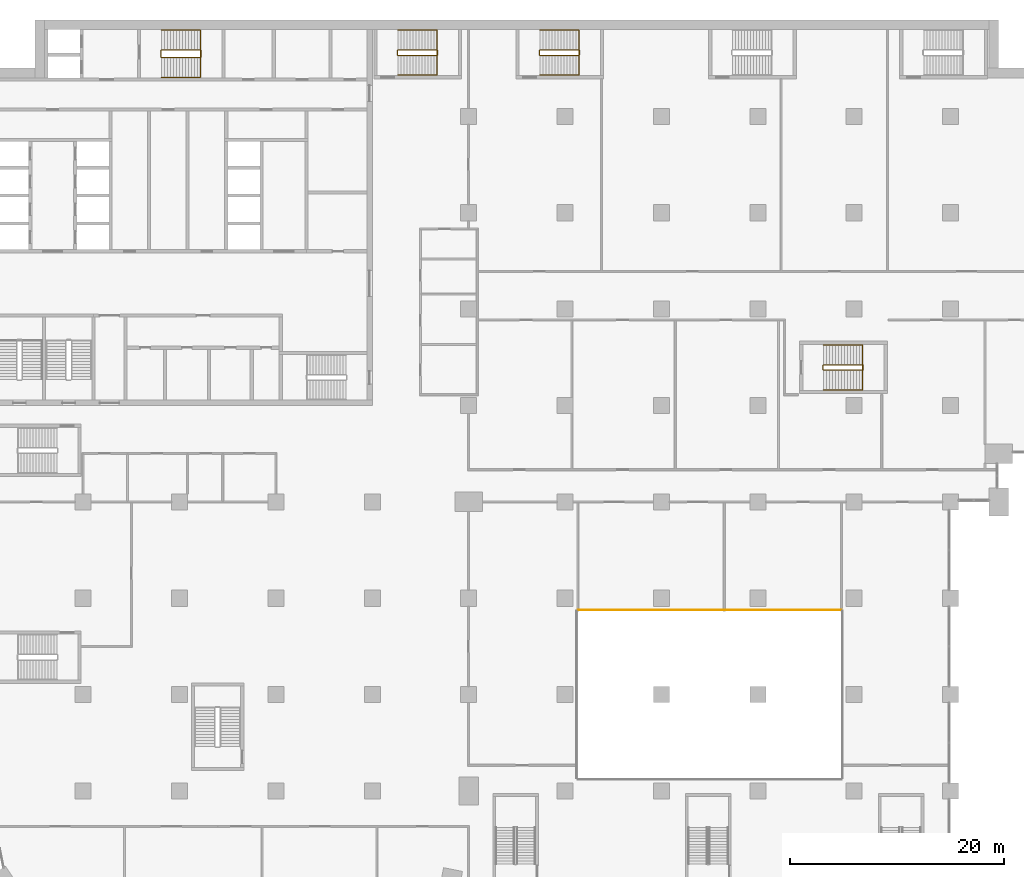
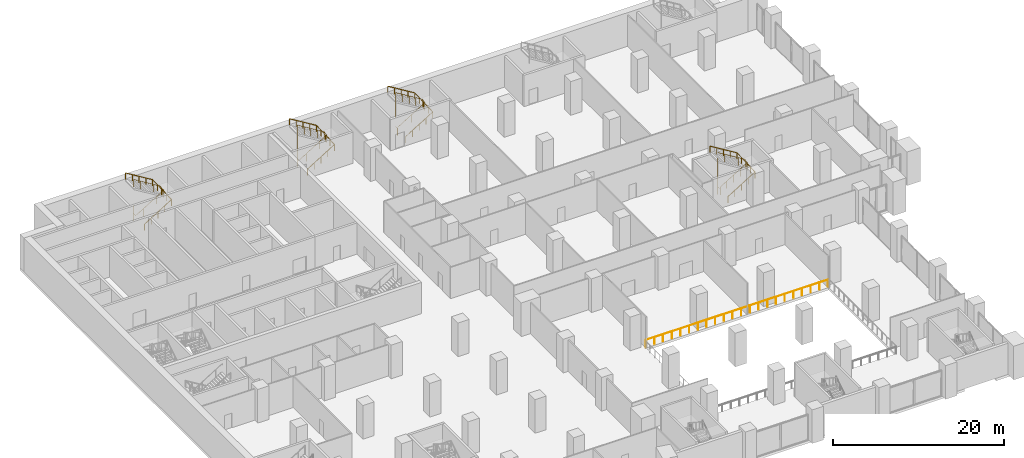
# One storey, part 48 of 49: 9 railings.
"""IFC4 building model written with IfcOpenShell, lengths in metres."""

from ifc_helpers import new_model, si_unit, direction, frame, origin, origin_2d, place, context, subcontext, project, spatial, circle, extrude, material, type_object, element, save


model = new_model("IFC4")

# Units and contexts
model_context = context("Model", 3, precision=1e-05, world=origin(), true_north=direction((0.0, 1.0)))
body_context = subcontext(model_context, "Body", "Model", "MODEL_VIEW")
ifc_project = project(units=[si_unit("LENGTHUNIT", "METRE"), si_unit("AREAUNIT", "SQUARE_METRE"), si_unit("VOLUMEUNIT", "CUBIC_METRE"), si_unit("PLANEANGLEUNIT", "RADIAN"), si_unit("MASSUNIT", "GRAM", prefix="KILO")], contexts=[model_context])

# Site, building, storey
site_placement = place(None, origin())
site = spatial("IfcSite", under=ifc_project, at=site_placement, CompositionType="ELEMENT")
building_placement = place(site_placement, origin())
building = spatial("IfcBuilding", under=site, at=building_placement, Name="Hunhe Ridgeline Campus", CompositionType="ELEMENT")
storey_placement = place(building_placement, frame((0.0, 0.0, 21.60009765625)))
storey = spatial("IfcBuildingStorey", under=building, at=storey_placement, Name="L04", CompositionType="ELEMENT", Elevation=21.60009765625)

# Railings
ifc_material_1 = material(Name="Glass and steel", Category="steel")
railing_type_1 = type_object("IfcRailingType", Name="Atrium glass guard 1100", PredefinedType="GUARDRAIL", material=ifc_material_1)
railing_1_placement = place(storey_placement, frame((79.800048828125, 43.919921875, 0.0)))
element("IfcRailing", 1, at=railing_1_placement, inside=storey, type_object=railing_type_1, Name="L04 atrium guard", PredefinedType="GUARDRAIL", context=body_context, shape_type="SweptSolid", body=[
    extrude(circle(Radius=0.02392578125, at=origin_2d()), frame((0.0, 0.0, 1.076171875), z_axis=(-1.0, 0.0, 0.0), x_axis=(0.0, -1.0, 0.0)), (0.0, 0.0, 1.0), 24.60009765625),
    extrude(circle(Radius=0.02099609375, at=origin_2d()), origin(), (0.0, 0.0, 1.0), 1.052001953125),
    extrude(circle(Radius=0.02099609375, at=origin_2d()), frame((-1.17138671875, 0.0, 0.0)), (0.0, 0.0, 1.0), 1.052001953125),
    extrude(circle(Radius=0.02099609375, at=origin_2d()), frame((-2.3427734375, 0.0, 0.0)), (0.0, 0.0, 1.0), 1.052001953125),
    extrude(circle(Radius=0.02099609375, at=origin_2d()), frame((-3.514404296875, 0.0, 0.0)), (0.0, 0.0, 1.0), 1.052001953125),
    extrude(circle(Radius=0.02099609375, at=origin_2d()), frame((-4.685791015625, 0.0, 0.0)), (0.0, 0.0, 1.0), 1.052001953125),
    extrude(circle(Radius=0.02099609375, at=origin_2d()), frame((-5.857177734375, 0.0, 0.0)), (0.0, 0.0, 1.0), 1.052001953125),
    extrude(circle(Radius=0.02099609375, at=origin_2d()), frame((-7.028564453125, 0.0, 0.0)), (0.0, 0.0, 1.0), 1.052001953125),
    extrude(circle(Radius=0.02099609375, at=origin_2d()), frame((-8.199951171875, 0.0, 0.0)), (0.0, 0.0, 1.0), 1.052001953125),
    extrude(circle(Radius=0.02099609375, at=origin_2d()), frame((-9.37158203125, 0.0, 0.0)), (0.0, 0.0, 1.0), 1.052001953125),
    extrude(circle(Radius=0.02099609375, at=origin_2d()), frame((-10.54296875, 0.0, 0.0)), (0.0, 0.0, 1.0), 1.052001953125),
    extrude(circle(Radius=0.02099609375, at=origin_2d()), frame((-11.71435546875, 0.0, 0.0)), (0.0, 0.0, 1.0), 1.052001953125),
    extrude(circle(Radius=0.02099609375, at=origin_2d()), frame((-12.8857421875, 0.0, 0.0)), (0.0, 0.0, 1.0), 1.052001953125),
    extrude(circle(Radius=0.02099609375, at=origin_2d()), frame((-14.05712890625, 0.0, 0.0)), (0.0, 0.0, 1.0), 1.052001953125),
    extrude(circle(Radius=0.02099609375, at=origin_2d()), frame((-15.228515625, 0.0, 0.0)), (0.0, 0.0, 1.0), 1.052001953125),
    extrude(circle(Radius=0.02099609375, at=origin_2d()), frame((-16.400146484375, 0.0, 0.0)), (0.0, 0.0, 1.0), 1.052001953125),
    extrude(circle(Radius=0.02099609375, at=origin_2d()), frame((-17.571533203125, 0.0, 0.0)), (0.0, 0.0, 1.0), 1.052001953125),
    extrude(circle(Radius=0.02099609375, at=origin_2d()), frame((-18.742919921875, 0.0, 0.0)), (0.0, 0.0, 1.0), 1.052001953125),
    extrude(circle(Radius=0.02099609375, at=origin_2d()), frame((-19.914306640625, 0.0, 0.0)), (0.0, 0.0, 1.0), 1.052001953125),
    extrude(circle(Radius=0.02099609375, at=origin_2d()), frame((-21.085693359375, 0.0, 0.0)), (0.0, 0.0, 1.0), 1.052001953125),
    extrude(circle(Radius=0.02099609375, at=origin_2d()), frame((-22.25732421875, 0.0, 0.0)), (0.0, 0.0, 1.0), 1.052001953125),
    extrude(circle(Radius=0.02099609375, at=origin_2d()), frame((-23.4287109375, 0.0, 0.0)), (0.0, 0.0, 1.0), 1.052001953125),
    extrude(circle(Radius=0.02099609375, at=origin_2d()), frame((-24.60009765625, 0.0, 0.0)), (0.0, 0.0, 1.0), 1.052001953125),
])
ifc_material_2 = material(Name="Stainless steel balustrade", Category="steel")
railing_type_2 = type_object("IfcRailingType", Name="Stair guard 1100 stainless", PredefinedType="GUARDRAIL", material=ifc_material_2)
railing_2_placement = place(storey_placement, frame((16.300048828125, 95.5, 0.17138671875)))
element("IfcRailing", 2, at=railing_2_placement, inside=storey, type_object=railing_type_2, Name="L04 stair S1 guard", PredefinedType="GUARDRAIL", context=body_context, shape_type="SweptSolid", body=[
    extrude(circle(Radius=0.02392578125, at=origin_2d()), frame((0.0, 0.0, 1.076171875), z_axis=(0.852850264322, 0.0, 0.5221555579), x_axis=(0.0, 1.0, 0.0)), (0.0, 0.0, 1.0), 4.267822265625),
    extrude(circle(Radius=0.02392578125, at=origin_2d()), frame((3.639892578125, 0.0, 3.3046875), z_axis=(0.707106781187, 0.707106781187, 0.0), x_axis=(-0.707106781187, 0.707106781187, 0.0)), (0.0, 0.0, 1.0), 0.07080078125),
    extrude(circle(Radius=0.02392578125, at=origin_2d()), frame((3.68994140625, 0.050048828125, 3.3046875), z_axis=(0.0, 1.0, 0.0), x_axis=(-1.0, 0.0, 0.0)), (0.0, 0.0, 1.0), 0.599853515625),
    extrude(circle(Radius=0.02392578125, at=origin_2d()), frame((3.68994140625, 0.64990234375, 3.3046875), z_axis=(-0.269911200495, 0.269911200495, 0.924281281696), x_axis=(-0.707106781187, -0.707106781187, 0.0)), (0.0, 0.0, 1.0), 0.185546875),
    extrude(circle(Radius=0.02392578125, at=origin_2d()), frame((3.639892578125, 0.699951171875, 3.47607421875), z_axis=(-0.852850264322, 0.0, 0.5221555579), x_axis=(0.0, -1.0, 0.0)), (0.0, 0.0, 1.0), 4.267822265625),
    extrude(circle(Radius=0.02392578125, at=origin_2d()), frame((0.0, 0.699951171875, 5.70458984375), z_axis=(-0.01042612993, -0.01042612993, -0.999891289906), x_axis=(0.707106781187, -0.707106781187, 0.0)), (0.0, 0.0, 1.0), 4.80029296875),
    extrude(circle(Radius=0.02392578125, at=origin_2d()), frame((-0.050048828125, 0.64990234375, 0.90478515625), z_axis=(0.0, -1.0, 0.0), x_axis=(1.0, 0.0, 0.0)), (0.0, 0.0, 1.0), 0.599853515625),
    extrude(circle(Radius=0.02099609375, at=origin_2d()), origin(), (0.0, 0.0, 1.0), 1.052001953125),
    extrude(circle(Radius=0.02099609375, at=origin_2d()), frame((0.909912109375, 0.0, 0.55712890625)), (0.0, 0.0, 1.0), 1.052001953125),
    extrude(circle(Radius=0.02099609375, at=origin_2d()), frame((1.81982421875, 0.0, 1.1142578125)), (0.0, 0.0, 1.0), 1.052001953125),
    extrude(circle(Radius=0.02099609375, at=origin_2d()), frame((2.72998046875, 0.0, 1.67138671875)), (0.0, 0.0, 1.0), 1.052001953125),
    extrude(circle(Radius=0.02099609375, at=origin_2d()), frame((3.639892578125, 0.0, 2.228515625)), (0.0, 0.0, 1.0), 1.052001953125),
    extrude(circle(Radius=0.02099609375, at=origin_2d()), frame((3.68994140625, 0.050048828125, 2.228515625)), (0.0, 0.0, 1.0), 1.052001953125),
    extrude(circle(Radius=0.02099609375, at=origin_2d()), frame((3.68994140625, 0.64990234375, 2.228515625)), (0.0, 0.0, 1.0), 1.052001953125),
    extrude(circle(Radius=0.02099609375, at=origin_2d()), frame((3.639892578125, 0.699951171875, 2.39990234375)), (0.0, 0.0, 1.0), 1.052001953125),
    extrude(circle(Radius=0.02099609375, at=origin_2d()), frame((2.72998046875, 0.699951171875, 2.95703125)), (0.0, 0.0, 1.0), 1.052001953125),
    extrude(circle(Radius=0.02099609375, at=origin_2d()), frame((1.81982421875, 0.699951171875, 3.51416015625)), (0.0, 0.0, 1.0), 1.052001953125),
    extrude(circle(Radius=0.02099609375, at=origin_2d()), frame((0.909912109375, 0.699951171875, 4.0712890625)), (0.0, 0.0, 1.0), 1.052001953125),
    extrude(circle(Radius=0.02099609375, at=origin_2d()), frame((0.0, 0.699951171875, 4.62841796875)), (0.0, 0.0, 1.0), 1.052001953125),
    extrude(circle(Radius=0.02099609375, at=origin_2d()), frame((-0.010009765625, 0.68994140625, 3.66845703125)), (0.0, 0.0, 1.0), 1.052001953125),
    extrude(circle(Radius=0.02099609375, at=origin_2d()), frame((-0.02001953125, 0.679931640625, 2.70849609375)), (0.0, 0.0, 1.0), 1.052001953125),
    extrude(circle(Radius=0.02099609375, at=origin_2d()), frame((-0.030029296875, 0.669921875, 1.74853515625)), (0.0, 0.0, 1.0), 1.052001953125),
    extrude(circle(Radius=0.02099609375, at=origin_2d()), frame((-0.0400390625, 0.659912109375, 0.78857421875)), (0.0, 0.0, 1.0), 1.052001953125),
    extrude(circle(Radius=0.02099609375, at=origin_2d()), frame((-0.050048828125, 0.64990234375, -0.17138671875)), (0.0, 0.0, 1.0), 1.052001953125),
    extrude(circle(Radius=0.02099609375, at=origin_2d()), frame((-0.050048828125, 0.050048828125, -0.17138671875)), (0.0, 0.0, 1.0), 1.052001953125),
])
railing_3_placement = place(storey_placement, frame((38.39990234375, 95.699951171875, 0.17138671875)))
element("IfcRailing", 3, at=railing_3_placement, inside=storey, type_object=railing_type_2, Name="L04 stair E1 guard", PredefinedType="GUARDRAIL", context=body_context, shape_type="SweptSolid", body=[
    extrude(circle(Radius=0.02392578125, at=origin_2d()), frame((0.0, 0.0, 1.076171875), z_axis=(0.852865859571, 0.0, 0.52213008492), x_axis=(0.0, 1.0, 0.0)), (0.0, 0.0, 1.0), 4.26806640625),
    extrude(circle(Radius=0.02392578125, at=origin_2d()), frame((3.64013671875, 0.0, 3.3046875), z_axis=(0.707106781187, 0.707106781187, 0.0), x_axis=(-0.707106781187, 0.707106781187, 0.0)), (0.0, 0.0, 1.0), 0.07080078125),
    extrude(circle(Radius=0.02392578125, at=origin_2d()), frame((3.690185546875, 0.050048828125, 3.3046875), z_axis=(0.0, 1.0, 0.0), x_axis=(-1.0, 0.0, 0.0)), (0.0, 0.0, 1.0), 0.39990234375),
    extrude(circle(Radius=0.02392578125, at=origin_2d()), frame((3.690185546875, 0.449951171875, 3.3046875), z_axis=(-0.269911200495, 0.269911200495, 0.924281281696), x_axis=(-0.707106781187, -0.707106781187, 0.0)), (0.0, 0.0, 1.0), 0.185546875),
    extrude(circle(Radius=0.02392578125, at=origin_2d()), frame((3.64013671875, 0.5, 3.47607421875), z_axis=(-0.852865859571, 0.0, 0.52213008492), x_axis=(0.0, -1.0, 0.0)), (0.0, 0.0, 1.0), 4.26806640625),
    extrude(circle(Radius=0.02392578125, at=origin_2d()), frame((0.0, 0.5, 5.70458984375), z_axis=(-0.010375276248, -0.010426135445, -0.99989181882), x_axis=(0.708833529934, -0.705375805398, 0.0)), (0.0, 0.0, 1.0), 4.80029296875),
    extrude(circle(Radius=0.02392578125, at=origin_2d()), frame((-0.0498046875, 0.449951171875, 0.90478515625), z_axis=(0.0, -1.0, 0.0), x_axis=(1.0, 0.0, 0.0)), (0.0, 0.0, 1.0), 0.39990234375),
    extrude(circle(Radius=0.02099609375, at=origin_2d()), origin(), (0.0, 0.0, 1.0), 1.052001953125),
    extrude(circle(Radius=0.02099609375, at=origin_2d()), frame((0.91015625, 0.0, 0.55712890625)), (0.0, 0.0, 1.0), 1.052001953125),
    extrude(circle(Radius=0.02099609375, at=origin_2d()), frame((1.820068359375, 0.0, 1.1142578125)), (0.0, 0.0, 1.0), 1.052001953125),
    extrude(circle(Radius=0.02099609375, at=origin_2d()), frame((2.72998046875, 0.0, 1.67138671875)), (0.0, 0.0, 1.0), 1.052001953125),
    extrude(circle(Radius=0.02099609375, at=origin_2d()), frame((3.64013671875, 0.0, 2.228515625)), (0.0, 0.0, 1.0), 1.052001953125),
    extrude(circle(Radius=0.02099609375, at=origin_2d()), frame((3.690185546875, 0.050048828125, 2.228515625)), (0.0, 0.0, 1.0), 1.052001953125),
    extrude(circle(Radius=0.02099609375, at=origin_2d()), frame((3.690185546875, 0.449951171875, 2.228515625)), (0.0, 0.0, 1.0), 1.052001953125),
    extrude(circle(Radius=0.02099609375, at=origin_2d()), frame((3.64013671875, 0.5, 2.39990234375)), (0.0, 0.0, 1.0), 1.052001953125),
    extrude(circle(Radius=0.02099609375, at=origin_2d()), frame((2.72998046875, 0.5, 2.95703125)), (0.0, 0.0, 1.0), 1.052001953125),
    extrude(circle(Radius=0.02099609375, at=origin_2d()), frame((1.820068359375, 0.5, 3.51416015625)), (0.0, 0.0, 1.0), 1.052001953125),
    extrude(circle(Radius=0.02099609375, at=origin_2d()), frame((0.91015625, 0.5, 4.0712890625)), (0.0, 0.0, 1.0), 1.052001953125),
    extrude(circle(Radius=0.02099609375, at=origin_2d()), frame((0.0, 0.5, 4.62841796875)), (0.0, 0.0, 1.0), 1.052001953125),
    extrude(circle(Radius=0.02099609375, at=origin_2d()), frame((-0.010009765625, 0.489990234375, 3.66845703125)), (0.0, 0.0, 1.0), 1.052001953125),
    extrude(circle(Radius=0.02099609375, at=origin_2d()), frame((-0.02001953125, 0.47998046875, 2.70849609375)), (0.0, 0.0, 1.0), 1.052001953125),
    extrude(circle(Radius=0.02099609375, at=origin_2d()), frame((-0.02978515625, 0.469970703125, 1.74853515625)), (0.0, 0.0, 1.0), 1.052001953125),
    extrude(circle(Radius=0.02099609375, at=origin_2d()), frame((-0.039794921875, 0.4599609375, 0.78857421875)), (0.0, 0.0, 1.0), 1.052001953125),
    extrude(circle(Radius=0.02099609375, at=origin_2d()), frame((-0.0498046875, 0.449951171875, -0.17138671875)), (0.0, 0.0, 1.0), 1.052001953125),
    extrude(circle(Radius=0.02099609375, at=origin_2d()), frame((-0.0498046875, 0.050048828125, -0.17138671875)), (0.0, 0.0, 1.0), 1.052001953125),
])
railing_4_placement = place(storey_placement, frame((51.64990234375, 95.699951171875, 0.17138671875)))
element("IfcRailing", 4, at=railing_4_placement, inside=storey, type_object=railing_type_2, Name="L04 stair E2 guard", PredefinedType="GUARDRAIL", context=body_context, shape_type="SweptSolid", body=[
    extrude(circle(Radius=0.02392578125, at=origin_2d()), frame((0.0, 0.0, 1.076171875), z_axis=(0.852865859571, 0.0, 0.52213008492), x_axis=(0.0, 1.0, 0.0)), (0.0, 0.0, 1.0), 4.26806640625),
    extrude(circle(Radius=0.02392578125, at=origin_2d()), frame((3.64013671875, 0.0, 3.3046875), z_axis=(0.707106781187, 0.707106781187, 0.0), x_axis=(-0.707106781187, 0.707106781187, 0.0)), (0.0, 0.0, 1.0), 0.07080078125),
    extrude(circle(Radius=0.02392578125, at=origin_2d()), frame((3.690185546875, 0.050048828125, 3.3046875), z_axis=(0.0, 1.0, 0.0), x_axis=(-1.0, 0.0, 0.0)), (0.0, 0.0, 1.0), 0.39990234375),
    extrude(circle(Radius=0.02392578125, at=origin_2d()), frame((3.690185546875, 0.449951171875, 3.3046875), z_axis=(-0.269911200495, 0.269911200495, 0.924281281696), x_axis=(-0.707106781187, -0.707106781187, 0.0)), (0.0, 0.0, 1.0), 0.185546875),
    extrude(circle(Radius=0.02392578125, at=origin_2d()), frame((3.64013671875, 0.5, 3.47607421875), z_axis=(-0.852865859571, 0.0, 0.52213008492), x_axis=(0.0, -1.0, 0.0)), (0.0, 0.0, 1.0), 4.26806640625),
    extrude(circle(Radius=0.02392578125, at=origin_2d()), frame((0.0, 0.5, 5.70458984375), z_axis=(-0.010375276248, -0.010426135445, -0.99989181882), x_axis=(0.708833529934, -0.705375805398, 0.0)), (0.0, 0.0, 1.0), 4.80029296875),
    extrude(circle(Radius=0.02392578125, at=origin_2d()), frame((-0.0498046875, 0.449951171875, 0.90478515625), z_axis=(0.0, -1.0, 0.0), x_axis=(1.0, 0.0, 0.0)), (0.0, 0.0, 1.0), 0.39990234375),
    extrude(circle(Radius=0.02099609375, at=origin_2d()), origin(), (0.0, 0.0, 1.0), 1.052001953125),
    extrude(circle(Radius=0.02099609375, at=origin_2d()), frame((0.91015625, 0.0, 0.55712890625)), (0.0, 0.0, 1.0), 1.052001953125),
    extrude(circle(Radius=0.02099609375, at=origin_2d()), frame((1.820068359375, 0.0, 1.1142578125)), (0.0, 0.0, 1.0), 1.052001953125),
    extrude(circle(Radius=0.02099609375, at=origin_2d()), frame((2.72998046875, 0.0, 1.67138671875)), (0.0, 0.0, 1.0), 1.052001953125),
    extrude(circle(Radius=0.02099609375, at=origin_2d()), frame((3.64013671875, 0.0, 2.228515625)), (0.0, 0.0, 1.0), 1.052001953125),
    extrude(circle(Radius=0.02099609375, at=origin_2d()), frame((3.690185546875, 0.050048828125, 2.228515625)), (0.0, 0.0, 1.0), 1.052001953125),
    extrude(circle(Radius=0.02099609375, at=origin_2d()), frame((3.690185546875, 0.449951171875, 2.228515625)), (0.0, 0.0, 1.0), 1.052001953125),
    extrude(circle(Radius=0.02099609375, at=origin_2d()), frame((3.64013671875, 0.5, 2.39990234375)), (0.0, 0.0, 1.0), 1.052001953125),
    extrude(circle(Radius=0.02099609375, at=origin_2d()), frame((2.72998046875, 0.5, 2.95703125)), (0.0, 0.0, 1.0), 1.052001953125),
    extrude(circle(Radius=0.02099609375, at=origin_2d()), frame((1.820068359375, 0.5, 3.51416015625)), (0.0, 0.0, 1.0), 1.052001953125),
    extrude(circle(Radius=0.02099609375, at=origin_2d()), frame((0.91015625, 0.5, 4.0712890625)), (0.0, 0.0, 1.0), 1.052001953125),
    extrude(circle(Radius=0.02099609375, at=origin_2d()), frame((0.0, 0.5, 4.62841796875)), (0.0, 0.0, 1.0), 1.052001953125),
    extrude(circle(Radius=0.02099609375, at=origin_2d()), frame((-0.010009765625, 0.489990234375, 3.66845703125)), (0.0, 0.0, 1.0), 1.052001953125),
    extrude(circle(Radius=0.02099609375, at=origin_2d()), frame((-0.02001953125, 0.47998046875, 2.70849609375)), (0.0, 0.0, 1.0), 1.052001953125),
    extrude(circle(Radius=0.02099609375, at=origin_2d()), frame((-0.02978515625, 0.469970703125, 1.74853515625)), (0.0, 0.0, 1.0), 1.052001953125),
    extrude(circle(Radius=0.02099609375, at=origin_2d()), frame((-0.039794921875, 0.4599609375, 0.78857421875)), (0.0, 0.0, 1.0), 1.052001953125),
    extrude(circle(Radius=0.02099609375, at=origin_2d()), frame((-0.0498046875, 0.449951171875, -0.17138671875)), (0.0, 0.0, 1.0), 1.052001953125),
    extrude(circle(Radius=0.02099609375, at=origin_2d()), frame((-0.0498046875, 0.050048828125, -0.17138671875)), (0.0, 0.0, 1.0), 1.052001953125),
])
railing_5_placement = place(storey_placement, frame((78.14990234375, 66.300048828125, 0.17138671875)))
element("IfcRailing", 5, at=railing_5_placement, inside=storey, type_object=railing_type_2, Name="L04 stair E5 guard", PredefinedType="GUARDRAIL", context=body_context, shape_type="SweptSolid", body=[
    extrude(circle(Radius=0.02392578125, at=origin_2d()), frame((0.0, 0.0, 1.076171875), z_axis=(0.852865859571, 0.0, 0.52213008492), x_axis=(0.0, 1.0, 0.0)), (0.0, 0.0, 1.0), 4.26806640625),
    extrude(circle(Radius=0.02392578125, at=origin_2d()), frame((3.64013671875, 0.0, 3.3046875), z_axis=(0.707106781187, 0.707106781187, 0.0), x_axis=(-0.707106781187, 0.707106781187, 0.0)), (0.0, 0.0, 1.0), 0.07080078125),
    extrude(circle(Radius=0.02392578125, at=origin_2d()), frame((3.690185546875, 0.050048828125, 3.3046875), z_axis=(0.0, 1.0, 0.0), x_axis=(-1.0, 0.0, 0.0)), (0.0, 0.0, 1.0), 0.39990234375),
    extrude(circle(Radius=0.02392578125, at=origin_2d()), frame((3.690185546875, 0.449951171875, 3.3046875), z_axis=(-0.269911200495, 0.269911200495, 0.924281281696), x_axis=(-0.707106781187, -0.707106781187, 0.0)), (0.0, 0.0, 1.0), 0.185546875),
    extrude(circle(Radius=0.02392578125, at=origin_2d()), frame((3.64013671875, 0.5, 3.47607421875), z_axis=(-0.852865859571, 0.0, 0.52213008492), x_axis=(0.0, -1.0, 0.0)), (0.0, 0.0, 1.0), 4.26806640625),
    extrude(circle(Radius=0.02392578125, at=origin_2d()), frame((0.0, 0.5, 5.70458984375), z_axis=(-0.010375276248, -0.010426135445, -0.99989181882), x_axis=(0.708833529934, -0.705375805398, 0.0)), (0.0, 0.0, 1.0), 4.80029296875),
    extrude(circle(Radius=0.02392578125, at=origin_2d()), frame((-0.0498046875, 0.449951171875, 0.90478515625), z_axis=(0.0, -1.0, 0.0), x_axis=(1.0, 0.0, 0.0)), (0.0, 0.0, 1.0), 0.39990234375),
    extrude(circle(Radius=0.02099609375, at=origin_2d()), origin(), (0.0, 0.0, 1.0), 1.052001953125),
    extrude(circle(Radius=0.02099609375, at=origin_2d()), frame((0.91015625, 0.0, 0.55712890625)), (0.0, 0.0, 1.0), 1.052001953125),
    extrude(circle(Radius=0.02099609375, at=origin_2d()), frame((1.820068359375, 0.0, 1.1142578125)), (0.0, 0.0, 1.0), 1.052001953125),
    extrude(circle(Radius=0.02099609375, at=origin_2d()), frame((2.72998046875, 0.0, 1.67138671875)), (0.0, 0.0, 1.0), 1.052001953125),
    extrude(circle(Radius=0.02099609375, at=origin_2d()), frame((3.64013671875, 0.0, 2.228515625)), (0.0, 0.0, 1.0), 1.052001953125),
    extrude(circle(Radius=0.02099609375, at=origin_2d()), frame((3.690185546875, 0.050048828125, 2.228515625)), (0.0, 0.0, 1.0), 1.052001953125),
    extrude(circle(Radius=0.02099609375, at=origin_2d()), frame((3.690185546875, 0.449951171875, 2.228515625)), (0.0, 0.0, 1.0), 1.052001953125),
    extrude(circle(Radius=0.02099609375, at=origin_2d()), frame((3.64013671875, 0.5, 2.39990234375)), (0.0, 0.0, 1.0), 1.052001953125),
    extrude(circle(Radius=0.02099609375, at=origin_2d()), frame((2.72998046875, 0.5, 2.95703125)), (0.0, 0.0, 1.0), 1.052001953125),
    extrude(circle(Radius=0.02099609375, at=origin_2d()), frame((1.820068359375, 0.5, 3.51416015625)), (0.0, 0.0, 1.0), 1.052001953125),
    extrude(circle(Radius=0.02099609375, at=origin_2d()), frame((0.91015625, 0.5, 4.0712890625)), (0.0, 0.0, 1.0), 1.052001953125),
    extrude(circle(Radius=0.02099609375, at=origin_2d()), frame((0.0, 0.5, 4.62841796875)), (0.0, 0.0, 1.0), 1.052001953125),
    extrude(circle(Radius=0.02099609375, at=origin_2d()), frame((-0.010009765625, 0.489990234375, 3.66845703125)), (0.0, 0.0, 1.0), 1.052001953125),
    extrude(circle(Radius=0.02099609375, at=origin_2d()), frame((-0.02001953125, 0.47998046875, 2.70849609375)), (0.0, 0.0, 1.0), 1.052001953125),
    extrude(circle(Radius=0.02099609375, at=origin_2d()), frame((-0.02978515625, 0.469970703125, 1.74853515625)), (0.0, 0.0, 1.0), 1.052001953125),
    extrude(circle(Radius=0.02099609375, at=origin_2d()), frame((-0.039794921875, 0.4599609375, 0.78857421875)), (0.0, 0.0, 1.0), 1.052001953125),
    extrude(circle(Radius=0.02099609375, at=origin_2d()), frame((-0.0498046875, 0.449951171875, -0.17138671875)), (0.0, 0.0, 1.0), 1.052001953125),
    extrude(circle(Radius=0.02099609375, at=origin_2d()), frame((-0.0498046875, 0.050048828125, -0.17138671875)), (0.0, 0.0, 1.0), 1.052001953125),
])
ifc_material_3 = material(Name="Stainless steel handrail", Category="steel")
railing_type_3 = type_object("IfcRailingType", Name="Stair handrail 900 stainless", PredefinedType="HANDRAIL", material=ifc_material_3)
railing_6_placement = place(storey_placement, frame((16.300048828125, 93.64990234375, 0.17138671875)))
element("IfcRailing", 6, at=railing_6_placement, inside=storey, type_object=railing_type_3, Name="L04 stair S1 handrail", PredefinedType="HANDRAIL", context=body_context, shape_type="SweptSolid", body=[
    extrude(circle(Radius=0.02392578125, at=origin_2d()), frame((0.0, 0.0, 0.8759765625), z_axis=(0.852850264322, 0.0, 0.5221555579), x_axis=(0.0, 1.0, 0.0)), (0.0, 0.0, 1.0), 4.267822265625),
    extrude(circle(Radius=0.02392578125, at=origin_2d()), frame((3.639892578125, 0.0, 3.1044921875), z_axis=(0.0, 0.999242301812, 0.038920717742), x_axis=(-1.0, 0.0, 0.0)), (0.0, 0.0, 1.0), 4.403564453125),
    extrude(circle(Radius=0.02392578125, at=origin_2d()), frame((3.639892578125, 4.400146484375, 3.27587890625), z_axis=(-0.852850264322, 0.0, 0.5221555579), x_axis=(0.0, -1.0, 0.0)), (0.0, 0.0, 1.0), 4.267822265625),
    extrude(circle(Radius=0.02099609375, at=origin_2d()), origin(), (0.0, 0.0, 1.0), 0.851806640625),
    extrude(circle(Radius=0.02099609375, at=origin_2d()), frame((0.909912109375, 0.0, 0.55712890625)), (0.0, 0.0, 1.0), 0.851806640625),
    extrude(circle(Radius=0.02099609375, at=origin_2d()), frame((1.81982421875, 0.0, 1.1142578125)), (0.0, 0.0, 1.0), 0.851806640625),
    extrude(circle(Radius=0.02099609375, at=origin_2d()), frame((2.72998046875, 0.0, 1.67138671875)), (0.0, 0.0, 1.0), 0.851806640625),
    extrude(circle(Radius=0.02099609375, at=origin_2d()), frame((3.639892578125, 0.0, 2.228515625)), (0.0, 0.0, 1.0), 0.851806640625),
    extrude(circle(Radius=0.02099609375, at=origin_2d()), frame((3.639892578125, 1.10009765625, 2.271484375)), (0.0, 0.0, 1.0), 0.851806640625),
    extrude(circle(Radius=0.02099609375, at=origin_2d()), frame((3.639892578125, 2.2001953125, 2.314208984375)), (0.0, 0.0, 1.0), 0.851806640625),
    extrude(circle(Radius=0.02099609375, at=origin_2d()), frame((3.639892578125, 3.300048828125, 2.35693359375)), (0.0, 0.0, 1.0), 0.851806640625),
    extrude(circle(Radius=0.02099609375, at=origin_2d()), frame((3.639892578125, 4.400146484375, 2.39990234375)), (0.0, 0.0, 1.0), 0.851806640625),
    extrude(circle(Radius=0.02099609375, at=origin_2d()), frame((2.72998046875, 4.400146484375, 2.95703125)), (0.0, 0.0, 1.0), 0.851806640625),
    extrude(circle(Radius=0.02099609375, at=origin_2d()), frame((1.81982421875, 4.400146484375, 3.51416015625)), (0.0, 0.0, 1.0), 0.851806640625),
    extrude(circle(Radius=0.02099609375, at=origin_2d()), frame((0.909912109375, 4.400146484375, 4.0712890625)), (0.0, 0.0, 1.0), 0.851806640625),
    extrude(circle(Radius=0.02099609375, at=origin_2d()), frame((0.0, 4.400146484375, 4.62841796875)), (0.0, 0.0, 1.0), 0.851806640625),
])
railing_7_placement = place(storey_placement, frame((38.39990234375, 93.85009765625, 0.17138671875)))
element("IfcRailing", 7, at=railing_7_placement, inside=storey, type_object=railing_type_3, Name="L04 stair E1 handrail", PredefinedType="HANDRAIL", context=body_context, shape_type="SweptSolid", body=[
    extrude(circle(Radius=0.02392578125, at=origin_2d()), frame((0.0, 0.0, 0.8759765625), z_axis=(0.852865859571, 0.0, 0.52213008492), x_axis=(0.0, 1.0, 0.0)), (0.0, 0.0, 1.0), 4.26806640625),
    extrude(circle(Radius=0.02392578125, at=origin_2d()), frame((3.64013671875, 0.0, 3.1044921875), z_axis=(0.0, 0.999168439458, 0.040772902662), x_axis=(-1.0, 0.0, 0.0)), (0.0, 0.0, 1.0), 4.203369140625),
    extrude(circle(Radius=0.02392578125, at=origin_2d()), frame((3.64013671875, 4.199951171875, 3.27587890625), z_axis=(-0.852865859571, 0.0, 0.52213008492), x_axis=(0.0, -1.0, 0.0)), (0.0, 0.0, 1.0), 4.26806640625),
    extrude(circle(Radius=0.02099609375, at=origin_2d()), origin(), (0.0, 0.0, 1.0), 0.851806640625),
    extrude(circle(Radius=0.02099609375, at=origin_2d()), frame((0.91015625, 0.0, 0.55712890625)), (0.0, 0.0, 1.0), 0.851806640625),
    extrude(circle(Radius=0.02099609375, at=origin_2d()), frame((1.820068359375, 0.0, 1.1142578125)), (0.0, 0.0, 1.0), 0.851806640625),
    extrude(circle(Radius=0.02099609375, at=origin_2d()), frame((2.72998046875, 0.0, 1.67138671875)), (0.0, 0.0, 1.0), 0.851806640625),
    extrude(circle(Radius=0.02099609375, at=origin_2d()), frame((3.64013671875, 0.0, 2.228515625)), (0.0, 0.0, 1.0), 0.851806640625),
    extrude(circle(Radius=0.02099609375, at=origin_2d()), frame((3.64013671875, 1.050048828125, 2.271484375)), (0.0, 0.0, 1.0), 0.851806640625),
    extrude(circle(Radius=0.02099609375, at=origin_2d()), frame((3.64013671875, 2.10009765625, 2.314208984375)), (0.0, 0.0, 1.0), 0.851806640625),
    extrude(circle(Radius=0.02099609375, at=origin_2d()), frame((3.64013671875, 3.14990234375, 2.35693359375)), (0.0, 0.0, 1.0), 0.851806640625),
    extrude(circle(Radius=0.02099609375, at=origin_2d()), frame((3.64013671875, 4.199951171875, 2.39990234375)), (0.0, 0.0, 1.0), 0.851806640625),
    extrude(circle(Radius=0.02099609375, at=origin_2d()), frame((2.72998046875, 4.199951171875, 2.95703125)), (0.0, 0.0, 1.0), 0.851806640625),
    extrude(circle(Radius=0.02099609375, at=origin_2d()), frame((1.820068359375, 4.199951171875, 3.51416015625)), (0.0, 0.0, 1.0), 0.851806640625),
    extrude(circle(Radius=0.02099609375, at=origin_2d()), frame((0.91015625, 4.199951171875, 4.0712890625)), (0.0, 0.0, 1.0), 0.851806640625),
    extrude(circle(Radius=0.02099609375, at=origin_2d()), frame((0.0, 4.199951171875, 4.62841796875)), (0.0, 0.0, 1.0), 0.851806640625),
])
railing_8_placement = place(storey_placement, frame((51.64990234375, 93.85009765625, 0.17138671875)))
element("IfcRailing", 8, at=railing_8_placement, inside=storey, type_object=railing_type_3, Name="L04 stair E2 handrail", PredefinedType="HANDRAIL", context=body_context, shape_type="SweptSolid", body=[
    extrude(circle(Radius=0.02392578125, at=origin_2d()), frame((0.0, 0.0, 0.8759765625), z_axis=(0.852865859571, 0.0, 0.52213008492), x_axis=(0.0, 1.0, 0.0)), (0.0, 0.0, 1.0), 4.26806640625),
    extrude(circle(Radius=0.02392578125, at=origin_2d()), frame((3.64013671875, 0.0, 3.1044921875), z_axis=(0.0, 0.999168439458, 0.040772902662), x_axis=(-1.0, 0.0, 0.0)), (0.0, 0.0, 1.0), 4.203369140625),
    extrude(circle(Radius=0.02392578125, at=origin_2d()), frame((3.64013671875, 4.199951171875, 3.27587890625), z_axis=(-0.852865859571, 0.0, 0.52213008492), x_axis=(0.0, -1.0, 0.0)), (0.0, 0.0, 1.0), 4.26806640625),
    extrude(circle(Radius=0.02099609375, at=origin_2d()), origin(), (0.0, 0.0, 1.0), 0.851806640625),
    extrude(circle(Radius=0.02099609375, at=origin_2d()), frame((0.91015625, 0.0, 0.55712890625)), (0.0, 0.0, 1.0), 0.851806640625),
    extrude(circle(Radius=0.02099609375, at=origin_2d()), frame((1.820068359375, 0.0, 1.1142578125)), (0.0, 0.0, 1.0), 0.851806640625),
    extrude(circle(Radius=0.02099609375, at=origin_2d()), frame((2.72998046875, 0.0, 1.67138671875)), (0.0, 0.0, 1.0), 0.851806640625),
    extrude(circle(Radius=0.02099609375, at=origin_2d()), frame((3.64013671875, 0.0, 2.228515625)), (0.0, 0.0, 1.0), 0.851806640625),
    extrude(circle(Radius=0.02099609375, at=origin_2d()), frame((3.64013671875, 1.050048828125, 2.271484375)), (0.0, 0.0, 1.0), 0.851806640625),
    extrude(circle(Radius=0.02099609375, at=origin_2d()), frame((3.64013671875, 2.10009765625, 2.314208984375)), (0.0, 0.0, 1.0), 0.851806640625),
    extrude(circle(Radius=0.02099609375, at=origin_2d()), frame((3.64013671875, 3.14990234375, 2.35693359375)), (0.0, 0.0, 1.0), 0.851806640625),
    extrude(circle(Radius=0.02099609375, at=origin_2d()), frame((3.64013671875, 4.199951171875, 2.39990234375)), (0.0, 0.0, 1.0), 0.851806640625),
    extrude(circle(Radius=0.02099609375, at=origin_2d()), frame((2.72998046875, 4.199951171875, 2.95703125)), (0.0, 0.0, 1.0), 0.851806640625),
    extrude(circle(Radius=0.02099609375, at=origin_2d()), frame((1.820068359375, 4.199951171875, 3.51416015625)), (0.0, 0.0, 1.0), 0.851806640625),
    extrude(circle(Radius=0.02099609375, at=origin_2d()), frame((0.91015625, 4.199951171875, 4.0712890625)), (0.0, 0.0, 1.0), 0.851806640625),
    extrude(circle(Radius=0.02099609375, at=origin_2d()), frame((0.0, 4.199951171875, 4.62841796875)), (0.0, 0.0, 1.0), 0.851806640625),
])
railing_9_placement = place(storey_placement, frame((78.14990234375, 64.449951171875, 0.17138671875)))
element("IfcRailing", 9, at=railing_9_placement, inside=storey, type_object=railing_type_3, Name="L04 stair E5 handrail", PredefinedType="HANDRAIL", context=body_context, shape_type="SweptSolid", body=[
    extrude(circle(Radius=0.02392578125, at=origin_2d()), frame((0.0, 0.0, 0.8759765625), z_axis=(0.852865859571, 0.0, 0.52213008492), x_axis=(0.0, 1.0, 0.0)), (0.0, 0.0, 1.0), 4.26806640625),
    extrude(circle(Radius=0.02392578125, at=origin_2d()), frame((3.64013671875, 0.0, 3.1044921875), z_axis=(0.0, 0.999168439458, 0.040772902662), x_axis=(-1.0, 0.0, 0.0)), (0.0, 0.0, 1.0), 4.203369140625),
    extrude(circle(Radius=0.02392578125, at=origin_2d()), frame((3.64013671875, 4.199951171875, 3.27587890625), z_axis=(-0.852865859571, 0.0, 0.52213008492), x_axis=(0.0, -1.0, 0.0)), (0.0, 0.0, 1.0), 4.26806640625),
    extrude(circle(Radius=0.02099609375, at=origin_2d()), origin(), (0.0, 0.0, 1.0), 0.851806640625),
    extrude(circle(Radius=0.02099609375, at=origin_2d()), frame((0.91015625, 0.0, 0.55712890625)), (0.0, 0.0, 1.0), 0.851806640625),
    extrude(circle(Radius=0.02099609375, at=origin_2d()), frame((1.820068359375, 0.0, 1.1142578125)), (0.0, 0.0, 1.0), 0.851806640625),
    extrude(circle(Radius=0.02099609375, at=origin_2d()), frame((2.72998046875, 0.0, 1.67138671875)), (0.0, 0.0, 1.0), 0.851806640625),
    extrude(circle(Radius=0.02099609375, at=origin_2d()), frame((3.64013671875, 0.0, 2.228515625)), (0.0, 0.0, 1.0), 0.851806640625),
    extrude(circle(Radius=0.02099609375, at=origin_2d()), frame((3.64013671875, 1.050048828125, 2.271484375)), (0.0, 0.0, 1.0), 0.851806640625),
    extrude(circle(Radius=0.02099609375, at=origin_2d()), frame((3.64013671875, 2.10009765625, 2.314208984375)), (0.0, 0.0, 1.0), 0.851806640625),
    extrude(circle(Radius=0.02099609375, at=origin_2d()), frame((3.64013671875, 3.14990234375, 2.35693359375)), (0.0, 0.0, 1.0), 0.851806640625),
    extrude(circle(Radius=0.02099609375, at=origin_2d()), frame((3.64013671875, 4.199951171875, 2.39990234375)), (0.0, 0.0, 1.0), 0.851806640625),
    extrude(circle(Radius=0.02099609375, at=origin_2d()), frame((2.72998046875, 4.199951171875, 2.95703125)), (0.0, 0.0, 1.0), 0.851806640625),
    extrude(circle(Radius=0.02099609375, at=origin_2d()), frame((1.820068359375, 4.199951171875, 3.51416015625)), (0.0, 0.0, 1.0), 0.851806640625),
    extrude(circle(Radius=0.02099609375, at=origin_2d()), frame((0.91015625, 4.199951171875, 4.0712890625)), (0.0, 0.0, 1.0), 0.851806640625),
    extrude(circle(Radius=0.02099609375, at=origin_2d()), frame((0.0, 4.199951171875, 4.62841796875)), (0.0, 0.0, 1.0), 0.851806640625),
])

save(model, "model.ifc")
